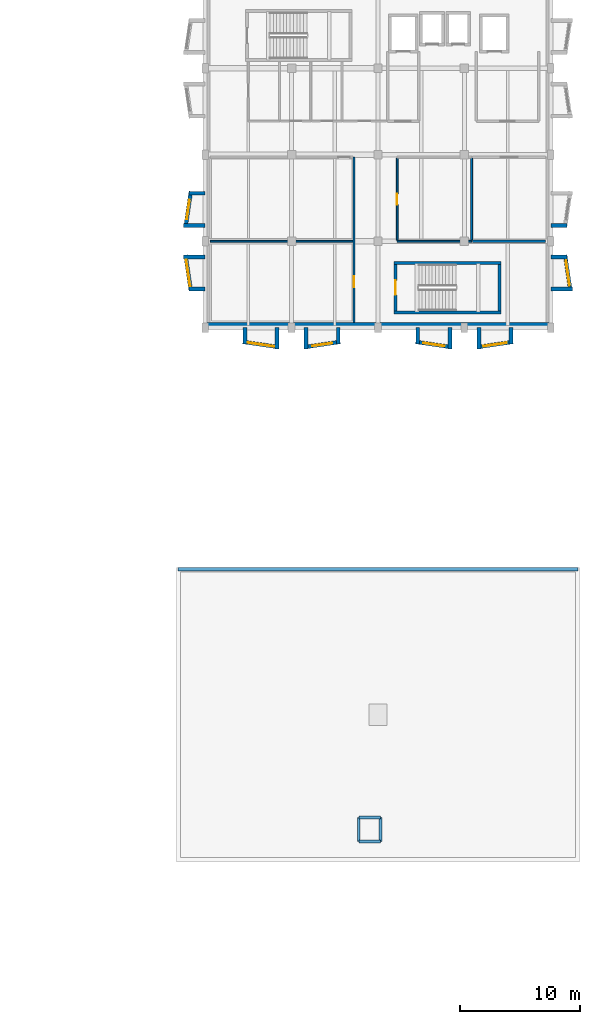
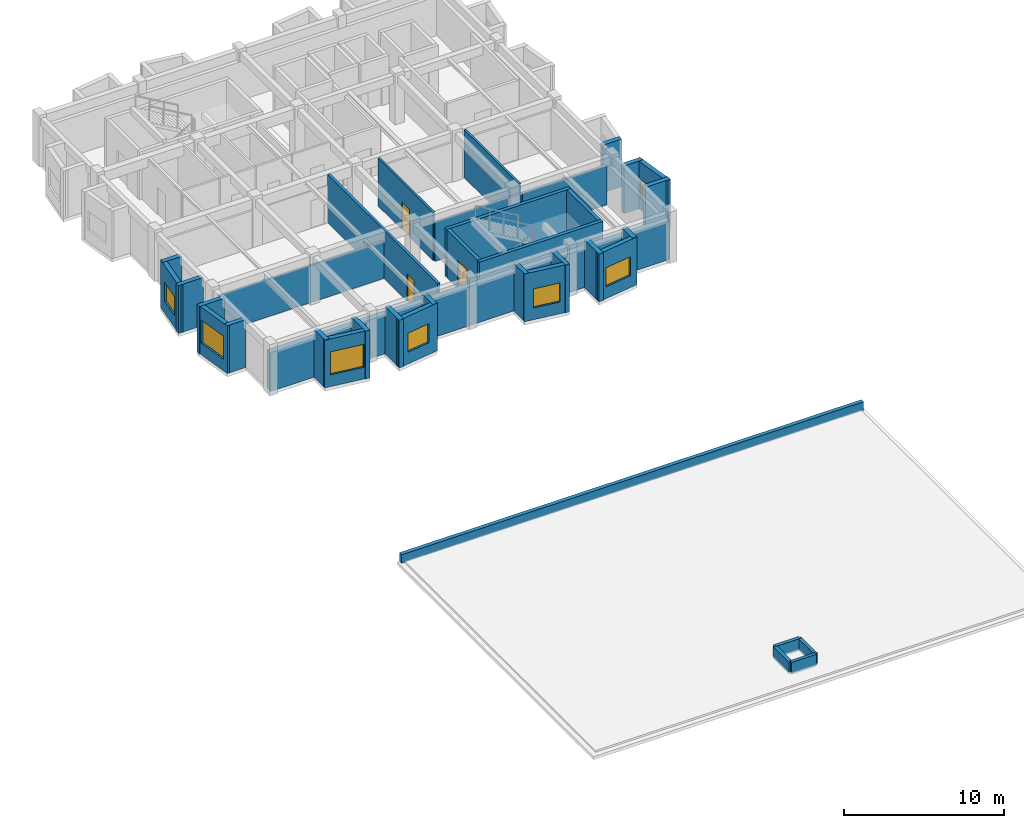
# One storey, part 13 of 20: 38 walls, 7 windows, 3 doors, 10 openings.
"""IFC4 building model written with IfcOpenShell, lengths in metres."""

from ifc_helpers import new_model, si_unit, direction, frame, frame_2d, origin, place, context, subcontext, project, spatial, rectangle, extrude, material, layer, layer_set, type_object, element, fill, save


model = new_model("IFC4")

# Units and contexts
model_context = context("Model", 3, precision=1e-05, world=origin(), true_north=direction((0.0, 1.0)))
body_context = subcontext(model_context, "Body", "Model", "MODEL_VIEW")
ifc_project = project(units=[si_unit("LENGTHUNIT", "METRE"), si_unit("AREAUNIT", "SQUARE_METRE"), si_unit("VOLUMEUNIT", "CUBIC_METRE"), si_unit("PLANEANGLEUNIT", "RADIAN"), si_unit("MASSUNIT", "GRAM", prefix="KILO")], contexts=[model_context])

# Site, building, storey
site_placement = place(None, origin())
site = spatial("IfcSite", under=ifc_project, at=site_placement, CompositionType="ELEMENT")
building_placement = place(site_placement, origin())
building = spatial("IfcBuilding", under=site, at=building_placement, Name="Bramveld Media Centre", CompositionType="ELEMENT")
storey_placement = place(building_placement, frame((0.0, 0.0, 18.0)))
storey = spatial("IfcBuildingStorey", under=building, at=storey_placement, Name="L04", CompositionType="ELEMENT", Elevation=18.0)

# Walls
ifc_material_1 = material(Name="Concrete C40/50 stair & lift core wall", Category="concrete")
ifc_layer_1 = layer(ifc_material_1, 0.25)
ifc_layer_set_1 = layer_set([ifc_layer_1], Name="Concrete C40/50 stair & lift core wall")
wall_type_1 = type_object("IfcWallType", Name="CWALL-SHEAR-250", PredefinedType="SHEAR", material=ifc_layer_set_1)
for number, where, z_axis, x_axis, name in (
    (1, (146.949951171875, 84.47509765625, 0.0), (0.0, 0.0, 1.0), (1.0, 0.0, 0.0), "ST-02 L04 stair core shear wall S"),
    (2, (155.85009765625, 88.574951171875, 0.0), (0.0, 0.0, 1.0), (-1.0, 0.0, 0.0), "ST-02 L04 stair core shear wall N"),
):
    element("IfcWall", number, at=place(storey_placement, frame(where, z_axis=z_axis, x_axis=x_axis)), inside=storey, type_object=wall_type_1, Name=name, PredefinedType="SHEAR", context=body_context, shape_type="SweptSolid", body=[
        extrude(rectangle(XDim=8.900146484375, YDim=0.25, at=frame_2d((4.4501953125, 0.0))), origin(), (0.0, 0.0, 1.0), 3.659912109375),
    ])

# Wall, opening, door
wall_1_placement = place(storey_placement, frame((147.074951171875, 88.449951171875, 0.0), z_axis=(0.0, 0.0, 1.0), x_axis=(0.0, -1.0, 0.0)))
wall_1 = element("IfcWall", 3, at=wall_1_placement, inside=storey, type_object=wall_type_1, Name="ST-02 L04 stair core shear wall W", PredefinedType="SHEAR", context=body_context, shape_type="SweptSolid", body=[
    extrude(rectangle(XDim=3.849853515625, YDim=0.25, at=frame_2d((1.9248046875, 0.0))), origin(), (0.0, 0.0, 1.0), 3.659912109375),
])
opening_1_placement = place(wall_1_placement, frame((1.324951171875, 0.0, 0.0)))
opening_1 = element("IfcOpeningElement", 4, at=opening_1_placement, cuts=wall_1, Name="Opening SD-02-L04", PredefinedType="OPENING", context=body_context, shape_type="SweptSolid", body=[
    extrude(rectangle(XDim=1.199951171875, YDim=2.14990234375, at=frame_2d((0.60009765625, 1.074951171875))), frame((0.0, 0.136962890625, 0.0), z_axis=(0.0, -1.0, 0.0), x_axis=(1.0, 0.0, 0.0)), (0.0, 0.0, 1.0), 0.27392578125),
])
ifc_material_2 = material(Name="Painted galvanized steel acoustic fire door with intumescent smoke seals", Category="steel")
door_type_1 = type_object("IfcDoorType", Name="DR-ST-1200", OperationType="NOTDEFINED", PredefinedType="DOOR", material=ifc_material_2)
door_1_placement = place(opening_1_placement, origin())
door_1 = element("IfcDoor", 5, at=door_1_placement, inside=storey, type_object=door_type_1, Name="ST-02 L04 pressurized stair fire door", OperationType="SINGLE_SWING_LEFT", OverallHeight=2.14990234375, OverallWidth=1.199951171875, PredefinedType="DOOR", context=body_context, shape_type="SweptSolid", body=[
    extrude(rectangle(XDim=1.199951171875, YDim=2.14990234375, at=frame_2d((0.60009765625, 1.074951171875))), frame((0.0, 0.02490234375, 0.0), z_axis=(0.0, -1.0, 0.0), x_axis=(1.0, 0.0, 0.0)), (0.0, 0.0, 1.0), 0.050048828125),
])
fill(opening_1, door_1)

# Walls
wall_2_placement = place(storey_placement, frame((155.72509765625, 84.60009765625, 0.0), z_axis=(0.0, 0.0, 1.0), x_axis=(0.0, 1.0, 0.0)))
element("IfcWall", 6, at=wall_2_placement, inside=storey, type_object=wall_type_1, Name="ST-02 L04 stair core shear wall E", PredefinedType="SHEAR", context=body_context, shape_type="SweptSolid", body=[
    extrude(rectangle(XDim=3.849853515625, YDim=0.25, at=frame_2d((1.9248046875, 0.0))), origin(), (0.0, 0.0, 1.0), 3.659912109375),
])
ifc_material_3 = material(Name="Flemish red-brown clay facing brick cavity wall with concrete C35/45 inner leaf", Category="masonry")
ifc_layer_2 = layer(ifc_material_3, 0.419921875)
ifc_layer_set_2 = layer_set([ifc_layer_2], Name="Flemish red-brown clay facing brick cavity wall with concrete C35/45 inner leaf")
wall_type_2 = type_object("IfcWallType", Name="EW-BRK-420", PredefinedType="SOLIDWALL", material=ifc_layer_set_2)
wall_3_placement = place(storey_placement, frame((160.0, 83.409912109375, 0.0), z_axis=(0.0, 0.0, 1.0), x_axis=(-1.0, 0.0, 0.0)))
element("IfcWall", 7, at=wall_3_placement, inside=storey, type_object=wall_type_2, Name="V7 L04 S facing brick exterior wall", PredefinedType="SOLIDWALL", context=body_context, shape_type="SweptSolid", body=[
    extrude(rectangle(XDim=28.800048828125, YDim=0.419921875, at=frame_2d((14.39990234375, 0.0))), origin(), (0.0, 0.0, 1.0), 2.955078125),
])

# Wall, opening, window
ifc_material_4 = material(Name="Precast concrete C40/50 & brick-slip faceted bay cheek wall", Category="masonry")
ifc_layer_3 = layer(ifc_material_4, 0.320068359375)
ifc_layer_set_3 = layer_set([ifc_layer_3], Name="Precast concrete C40/50 & brick-slip faceted bay cheek wall")
wall_type_3 = type_object("IfcWallType", Name="EW-FACET-320", PredefinedType="SOLIDWALL", material=ifc_layer_set_3)
wall_4_placement = place(storey_placement, frame((134.35009765625, 82.010009765625, 0.0), z_axis=(0.0, 0.0, 1.0), x_axis=(0.989266910268, -0.146119746268, 0.0)))
wall_4 = element("IfcWall", 8, at=wall_4_placement, inside=storey, type_object=wall_type_3, Name="V7 L04 S angled faceted bay front wall 1", PredefinedType="SOLIDWALL", context=body_context, shape_type="SweptSolid", body=[
    extrude(rectangle(XDim=3.032470703125, YDim=0.320068359375, at=frame_2d((1.51611328125, 0.0))), origin(), (0.0, 0.0, 1.0), 3.639892578125),
])
opening_2_placement = place(wall_4_placement, frame((0.391357421875, 0.0, 0.89990234375)))
opening_2 = element("IfcOpeningElement", 9, at=opening_2_placement, cuts=wall_4, Name="Opening W-36", PredefinedType="OPENING", context=body_context, shape_type="SweptSolid", body=[
    extrude(rectangle(XDim=2.25, YDim=1.75, at=frame_2d((1.125, 0.875))), frame((0.0, 0.171875, 0.0), z_axis=(0.0, -1.0, 0.0), x_axis=(1.0, 0.0, 0.0)), (0.0, 0.0, 1.0), 0.343994140625),
])
ifc_material_5 = material(Name="Thermally broken anodized bronze aluminium frame with triple acoustic glazing", Category="aluminium")
window_type_1 = type_object("IfcWindowType", Name="WIN-FAC-36", PartitioningType="SINGLE_PANEL", PredefinedType="WINDOW", material=ifc_material_5)
window_1_placement = place(opening_2_placement, origin())
window_1 = element("IfcWindow", 10, at=window_1_placement, inside=storey, type_object=window_type_1, Name="V7 L04 S faceted bay window 1", OverallHeight=1.75, OverallWidth=2.25, PartitioningType="SINGLE_PANEL", PredefinedType="WINDOW", context=body_context, shape_type="SweptSolid", body=[
    extrude(rectangle(XDim=2.25, YDim=1.75, at=frame_2d((1.125, 0.875))), frame((0.0, 0.030029296875, 0.0), z_axis=(0.0, -1.0, 0.0), x_axis=(1.0, 0.0, 0.0)), (0.0, 0.0, 1.0), 0.06005859375),
])
fill(opening_2, window_1)

# Walls
wall_5_placement = place(storey_placement, frame((134.510009765625, 83.199951171875, 0.0), z_axis=(0.0, 0.0, 1.0), x_axis=(0.0, -1.0, 0.0)))
element("IfcWall", 11, at=wall_5_placement, inside=storey, type_object=wall_type_3, Name="V7 L04 S faceted bay cheek wall", PredefinedType="SOLIDWALL", context=body_context, shape_type="SweptSolid", body=[
    extrude(rectangle(XDim=1.349853515625, YDim=0.320068359375, at=frame_2d((0.6748046875, 0.0))), origin(), (0.0, 0.0, 1.0), 3.639892578125),
])
wall_6_placement = place(storey_placement, frame((137.18994140625, 83.199951171875, 0.0), z_axis=(0.0, 0.0, 1.0), x_axis=(0.0, -1.0, 0.0)))
element("IfcWall", 12, at=wall_6_placement, inside=storey, type_object=wall_type_3, Name="V7 L04 S faceted bay cheek wall", PredefinedType="SOLIDWALL", context=body_context, shape_type="SweptSolid", body=[
    extrude(rectangle(XDim=1.79296875, YDim=0.320068359375, at=frame_2d((0.896484375, 0.0))), origin(), (0.0, 0.0, 1.0), 3.639892578125),
])

# Wall, opening, window
wall_7_placement = place(storey_placement, frame((139.449951171875, 81.56689453125, 0.0), z_axis=(0.0, 0.0, 1.0), x_axis=(0.989266910268, 0.146119746268, 0.0)))
wall_7 = element("IfcWall", 13, at=wall_7_placement, inside=storey, type_object=wall_type_3, Name="V7 L04 S angled faceted bay front wall 2", PredefinedType="SOLIDWALL", context=body_context, shape_type="SweptSolid", body=[
    extrude(rectangle(XDim=3.032470703125, YDim=0.320068359375, at=frame_2d((1.51611328125, 0.0))), origin(), (0.0, 0.0, 1.0), 3.639892578125),
])
opening_3_placement = place(wall_7_placement, frame((0.69140625, 0.0, 0.89990234375)))
opening_3 = element("IfcOpeningElement", 14, at=opening_3_placement, cuts=wall_7, Name="Opening W-25", PredefinedType="OPENING", context=body_context, shape_type="SweptSolid", body=[
    extrude(rectangle(XDim=1.64990234375, YDim=1.449951171875, at=frame_2d((0.824951171875, 0.72509765625))), frame((0.0, 0.171875, 0.0), z_axis=(0.0, -1.0, 0.0), x_axis=(1.0, 0.0, 0.0)), (0.0, 0.0, 1.0), 0.343994140625),
])
ifc_material_6 = material(Name="Thermally broken anodized bronze aluminium frame with triple acoustic glazing", Category="aluminium")
window_type_2 = type_object("IfcWindowType", Name="WIN-FAC-25", PartitioningType="SINGLE_PANEL", PredefinedType="WINDOW", material=ifc_material_6)
window_2_placement = place(opening_3_placement, origin())
window_2 = element("IfcWindow", 15, at=window_2_placement, inside=storey, type_object=window_type_2, Name="V7 L04 S faceted bay window 2", OverallHeight=1.449951171875, OverallWidth=1.64990234375, PartitioningType="SINGLE_PANEL", PredefinedType="WINDOW", context=body_context, shape_type="SweptSolid", body=[
    extrude(rectangle(XDim=1.64990234375, YDim=1.449951171875, at=frame_2d((0.824951171875, 0.72509765625))), frame((0.0, 0.030029296875, 0.0), z_axis=(0.0, -1.0, 0.0), x_axis=(1.0, 0.0, 0.0)), (0.0, 0.0, 1.0), 0.06005859375),
])
fill(opening_3, window_2)

# Walls
wall_8_placement = place(storey_placement, frame((139.610107421875, 83.199951171875, 0.0), z_axis=(0.0, 0.0, 1.0), x_axis=(0.0, -1.0, 0.0)))
element("IfcWall", 16, at=wall_8_placement, inside=storey, type_object=wall_type_3, Name="V7 L04 S faceted bay cheek wall", PredefinedType="SOLIDWALL", context=body_context, shape_type="SweptSolid", body=[
    extrude(rectangle(XDim=1.79296875, YDim=0.320068359375, at=frame_2d((0.896484375, 0.0))), origin(), (0.0, 0.0, 1.0), 3.639892578125),
])
wall_9_placement = place(storey_placement, frame((142.2900390625, 83.199951171875, 0.0), z_axis=(0.0, 0.0, 1.0), x_axis=(0.0, -1.0, 0.0)))
element("IfcWall", 17, at=wall_9_placement, inside=storey, type_object=wall_type_3, Name="V7 L04 S faceted bay cheek wall", PredefinedType="SOLIDWALL", context=body_context, shape_type="SweptSolid", body=[
    extrude(rectangle(XDim=1.349853515625, YDim=0.320068359375, at=frame_2d((0.6748046875, 0.0))), origin(), (0.0, 0.0, 1.0), 3.639892578125),
])

# Wall, opening, window
wall_10_placement = place(storey_placement, frame((148.75, 82.010009765625, 0.0), z_axis=(0.0, 0.0, 1.0), x_axis=(0.989266910268, -0.146119746268, 0.0)))
wall_10 = element("IfcWall", 18, at=wall_10_placement, inside=storey, type_object=wall_type_3, Name="V7 L04 S angled faceted bay front wall 3", PredefinedType="SOLIDWALL", context=body_context, shape_type="SweptSolid", body=[
    extrude(rectangle(XDim=3.032470703125, YDim=0.320068359375, at=frame_2d((1.51611328125, 0.0))), origin(), (0.0, 0.0, 1.0), 3.639892578125),
])
opening_4_placement = place(wall_10_placement, frame((0.6162109375, 0.0, 0.89990234375)))
opening_4 = element("IfcOpeningElement", 19, at=opening_4_placement, cuts=wall_10, Name="Opening W-26", PredefinedType="OPENING", context=body_context, shape_type="SweptSolid", body=[
    extrude(rectangle(XDim=1.800048828125, YDim=1.449951171875, at=frame_2d((0.89990234375, 0.72509765625))), frame((0.0, 0.171875, 0.0), z_axis=(0.0, -1.0, 0.0), x_axis=(1.0, 0.0, 0.0)), (0.0, 0.0, 1.0), 0.343994140625),
])
ifc_material_7 = material(Name="Thermally broken anodized bronze aluminium frame with triple acoustic glazing", Category="aluminium")
window_type_3 = type_object("IfcWindowType", Name="WIN-FAC-26", PartitioningType="SINGLE_PANEL", PredefinedType="WINDOW", material=ifc_material_7)
window_3_placement = place(opening_4_placement, origin())
window_3 = element("IfcWindow", 20, at=window_3_placement, inside=storey, type_object=window_type_3, Name="V7 L04 S faceted bay window 3", OverallHeight=1.449951171875, OverallWidth=1.800048828125, PartitioningType="SINGLE_PANEL", PredefinedType="WINDOW", context=body_context, shape_type="SweptSolid", body=[
    extrude(rectangle(XDim=1.800048828125, YDim=1.449951171875, at=frame_2d((0.89990234375, 0.72509765625))), frame((0.0, 0.030029296875, 0.0), z_axis=(0.0, -1.0, 0.0), x_axis=(1.0, 0.0, 0.0)), (0.0, 0.0, 1.0), 0.06005859375),
])
fill(opening_4, window_3)

# Walls
wall_11_placement = place(storey_placement, frame((148.909912109375, 83.199951171875, 0.0), z_axis=(0.0, 0.0, 1.0), x_axis=(0.0, -1.0, 0.0)))
element("IfcWall", 21, at=wall_11_placement, inside=storey, type_object=wall_type_3, Name="V7 L04 S faceted bay cheek wall", PredefinedType="SOLIDWALL", context=body_context, shape_type="SweptSolid", body=[
    extrude(rectangle(XDim=1.349853515625, YDim=0.320068359375, at=frame_2d((0.6748046875, 0.0))), origin(), (0.0, 0.0, 1.0), 3.639892578125),
])
wall_12_placement = place(storey_placement, frame((151.590087890625, 83.199951171875, 0.0), z_axis=(0.0, 0.0, 1.0), x_axis=(0.0, -1.0, 0.0)))
element("IfcWall", 22, at=wall_12_placement, inside=storey, type_object=wall_type_3, Name="V7 L04 S faceted bay cheek wall", PredefinedType="SOLIDWALL", context=body_context, shape_type="SweptSolid", body=[
    extrude(rectangle(XDim=1.79296875, YDim=0.320068359375, at=frame_2d((0.896484375, 0.0))), origin(), (0.0, 0.0, 1.0), 3.639892578125),
])

# Wall, opening, window
wall_13_placement = place(storey_placement, frame((153.85009765625, 81.56689453125, 0.0), z_axis=(0.0, 0.0, 1.0), x_axis=(0.989266910268, 0.146119746268, 0.0)))
wall_13 = element("IfcWall", 23, at=wall_13_placement, inside=storey, type_object=wall_type_3, Name="V7 L04 S angled faceted bay front wall 4", PredefinedType="SOLIDWALL", context=body_context, shape_type="SweptSolid", body=[
    extrude(rectangle(XDim=3.032470703125, YDim=0.320068359375, at=frame_2d((1.51611328125, 0.0))), origin(), (0.0, 0.0, 1.0), 3.639892578125),
])
opening_5_placement = place(wall_13_placement, frame((0.541259765625, 0.0, 0.89990234375)))
opening_5 = element("IfcOpeningElement", 24, at=opening_5_placement, cuts=wall_13, Name="Opening W-27", PredefinedType="OPENING", context=body_context, shape_type="SweptSolid", body=[
    extrude(rectangle(XDim=1.949951171875, YDim=1.449951171875, at=frame_2d((0.97509765625, 0.72509765625))), frame((0.0, 0.171875, 0.0), z_axis=(0.0, -1.0, 0.0), x_axis=(1.0, 0.0, 0.0)), (0.0, 0.0, 1.0), 0.343994140625),
])
ifc_material_8 = material(Name="Thermally broken anodized bronze aluminium frame with triple acoustic glazing", Category="aluminium")
window_type_4 = type_object("IfcWindowType", Name="WIN-FAC-27", PartitioningType="SINGLE_PANEL", PredefinedType="WINDOW", material=ifc_material_8)
window_4_placement = place(opening_5_placement, origin())
window_4 = element("IfcWindow", 25, at=window_4_placement, inside=storey, type_object=window_type_4, Name="V7 L04 S faceted bay window 4", OverallHeight=1.449951171875, OverallWidth=1.949951171875, PartitioningType="SINGLE_PANEL", PredefinedType="WINDOW", context=body_context, shape_type="SweptSolid", body=[
    extrude(rectangle(XDim=1.949951171875, YDim=1.449951171875, at=frame_2d((0.97509765625, 0.72509765625))), frame((0.0, 0.030029296875, 0.0), z_axis=(0.0, -1.0, 0.0), x_axis=(1.0, 0.0, 0.0)), (0.0, 0.0, 1.0), 0.06005859375),
])
fill(opening_5, window_4)

# Walls
wall_14_placement = place(storey_placement, frame((154.010009765625, 83.199951171875, 0.0), z_axis=(0.0, 0.0, 1.0), x_axis=(0.0, -1.0, 0.0)))
element("IfcWall", 26, at=wall_14_placement, inside=storey, type_object=wall_type_3, Name="V7 L04 S faceted bay cheek wall", PredefinedType="SOLIDWALL", context=body_context, shape_type="SweptSolid", body=[
    extrude(rectangle(XDim=1.79296875, YDim=0.320068359375, at=frame_2d((0.896484375, 0.0))), origin(), (0.0, 0.0, 1.0), 3.639892578125),
])
wall_15_placement = place(storey_placement, frame((156.68994140625, 83.199951171875, 0.0), z_axis=(0.0, 0.0, 1.0), x_axis=(0.0, -1.0, 0.0)))
element("IfcWall", 27, at=wall_15_placement, inside=storey, type_object=wall_type_3, Name="V7 L04 S faceted bay cheek wall", PredefinedType="SOLIDWALL", context=body_context, shape_type="SweptSolid", body=[
    extrude(rectangle(XDim=1.349853515625, YDim=0.320068359375, at=frame_2d((0.6748046875, 0.0))), origin(), (0.0, 0.0, 1.0), 3.639892578125),
])

# Wall, opening, window
wall_16_placement = place(storey_placement, frame((161.633056640625, 86.25, 0.0), z_axis=(0.0, 0.0, 1.0), x_axis=(-0.146119746268, 0.989266910268, 0.0)))
wall_16 = element("IfcWall", 28, at=wall_16_placement, inside=storey, type_object=wall_type_3, Name="V7 L04 E angled faceted bay front wall 1", PredefinedType="SOLIDWALL", context=body_context, shape_type="SweptSolid", body=[
    extrude(rectangle(XDim=3.032470703125, YDim=0.320068359375, at=frame_2d((1.51611328125, 0.0))), origin(), (0.0, 0.0, 1.0), 3.639892578125),
])
opening_6_placement = place(wall_16_placement, frame((0.46630859375, 0.0, 0.89990234375)))
opening_6 = element("IfcOpeningElement", 29, at=opening_6_placement, cuts=wall_16, Name="Opening W-28", PredefinedType="OPENING", context=body_context, shape_type="SweptSolid", body=[
    extrude(rectangle(XDim=2.10009765625, YDim=1.449951171875, at=frame_2d((1.050048828125, 0.72509765625))), frame((0.0, 0.171875, 0.0), z_axis=(0.0, -1.0, 0.0), x_axis=(1.0, 0.0, 0.0)), (0.0, 0.0, 1.0), 0.343994140625),
])
ifc_material_9 = material(Name="Thermally broken anodized bronze aluminium frame with triple acoustic glazing", Category="aluminium")
window_type_5 = type_object("IfcWindowType", Name="WIN-FAC-28", PartitioningType="SINGLE_PANEL", PredefinedType="WINDOW", material=ifc_material_9)
window_5_placement = place(opening_6_placement, origin())
window_5 = element("IfcWindow", 30, at=window_5_placement, inside=storey, type_object=window_type_5, Name="V7 L04 E faceted bay window 1", OverallHeight=1.449951171875, OverallWidth=2.10009765625, PartitioningType="SINGLE_PANEL", PredefinedType="WINDOW", context=body_context, shape_type="SweptSolid", body=[
    extrude(rectangle(XDim=2.10009765625, YDim=1.449951171875, at=frame_2d((1.050048828125, 0.72509765625))), frame((0.0, 0.030029296875, 0.0), z_axis=(0.0, -1.0, 0.0), x_axis=(1.0, 0.0, 0.0)), (0.0, 0.0, 1.0), 0.06005859375),
])
fill(opening_6, window_5)

# Walls
wall_17_placement = place(storey_placement, frame((160.0, 86.409912109375, 0.0), z_axis=(0.0, 0.0, 1.0), x_axis=(1.0, 0.0, 0.0)))
element("IfcWall", 31, at=wall_17_placement, inside=storey, type_object=wall_type_3, Name="V7 L04 E faceted bay cheek wall", PredefinedType="SOLIDWALL", context=body_context, shape_type="SweptSolid", body=[
    extrude(rectangle(XDim=1.79296875, YDim=0.320068359375, at=frame_2d((0.896484375, 0.0))), origin(), (0.0, 0.0, 1.0), 3.639892578125),
])
for number, where, z_axis, x_axis, name in (
    (32, (160.0, 89.090087890625, 0.0), (0.0, 0.0, 1.0), (1.0, 0.0, 0.0), "V7 L04 E faceted bay cheek wall"),
    (33, (160.0, 91.7099609375, 0.0), (0.0, 0.0, 1.0), (1.0, 0.0, 0.0), "V7 L04 E faceted bay cheek wall"),
):
    element("IfcWall", number, at=place(storey_placement, frame(where, z_axis=z_axis, x_axis=x_axis)), inside=storey, type_object=wall_type_3, Name=name, PredefinedType="SOLIDWALL", context=body_context, shape_type="SweptSolid", body=[
        extrude(rectangle(XDim=1.35009765625, YDim=0.320068359375, at=frame_2d((0.675048828125, 0.0))), origin(), (0.0, 0.0, 1.0), 3.639892578125),
    ])

# Wall, opening, window
wall_18_placement = place(storey_placement, frame((129.56689453125, 89.25, 0.0), z_axis=(0.0, 0.0, 1.0), x_axis=(0.146119746268, -0.989266910268, 0.0)))
wall_18 = element("IfcWall", 34, at=wall_18_placement, inside=storey, type_object=wall_type_3, Name="V7 L04 W angled faceted bay front wall 1", PredefinedType="SOLIDWALL", context=body_context, shape_type="SweptSolid", body=[
    extrude(rectangle(XDim=3.032470703125, YDim=0.320068359375, at=frame_2d((1.51611328125, 0.0))), origin(), (0.0, 0.0, 1.0), 3.639892578125),
])
opening_7_placement = place(wall_18_placement, frame((0.391357421875, 0.0, 0.89990234375)))
opening_7 = element("IfcOpeningElement", 35, at=opening_7_placement, cuts=wall_18, Name="Opening W-36", PredefinedType="OPENING", context=body_context, shape_type="SweptSolid", body=[
    extrude(rectangle(XDim=2.25, YDim=1.75, at=frame_2d((1.125, 0.875))), frame((0.0, 0.171875, 0.0), z_axis=(0.0, -1.0, 0.0), x_axis=(1.0, 0.0, 0.0)), (0.0, 0.0, 1.0), 0.343994140625),
])
window_6_placement = place(opening_7_placement, origin())
window_6 = element("IfcWindow", 36, at=window_6_placement, inside=storey, type_object=window_type_1, Name="V7 L04 W faceted bay window 1", OverallHeight=1.75, OverallWidth=2.25, PartitioningType="SINGLE_PANEL", PredefinedType="WINDOW", context=body_context, shape_type="SweptSolid", body=[
    extrude(rectangle(XDim=2.25, YDim=1.75, at=frame_2d((1.125, 0.875))), frame((0.0, 0.030029296875, 0.0), z_axis=(0.0, -1.0, 0.0), x_axis=(1.0, 0.0, 0.0)), (0.0, 0.0, 1.0), 0.06005859375),
])
fill(opening_7, window_6)

# Walls
wall_19_placement = place(storey_placement, frame((131.199951171875, 86.409912109375, 0.0), z_axis=(0.0, 0.0, 1.0), x_axis=(-1.0, 0.0, 0.0)))
element("IfcWall", 37, at=wall_19_placement, inside=storey, type_object=wall_type_3, Name="V7 L04 W faceted bay cheek wall", PredefinedType="SOLIDWALL", context=body_context, shape_type="SweptSolid", body=[
    extrude(rectangle(XDim=1.349853515625, YDim=0.320068359375, at=frame_2d((0.6748046875, 0.0))), origin(), (0.0, 0.0, 1.0), 3.639892578125),
])
wall_20_placement = place(storey_placement, frame((131.199951171875, 89.090087890625, 0.0), z_axis=(0.0, 0.0, 1.0), x_axis=(-1.0, 0.0, 0.0)))
element("IfcWall", 38, at=wall_20_placement, inside=storey, type_object=wall_type_3, Name="V7 L04 W faceted bay cheek wall", PredefinedType="SOLIDWALL", context=body_context, shape_type="SweptSolid", body=[
    extrude(rectangle(XDim=1.79296875, YDim=0.320068359375, at=frame_2d((0.896484375, 0.0))), origin(), (0.0, 0.0, 1.0), 3.639892578125),
])

# Wall, opening, window
wall_21_placement = place(storey_placement, frame((130.010009765625, 94.550048828125, 0.0), z_axis=(0.0, 0.0, 1.0), x_axis=(-0.146119746268, -0.989266910268, 0.0)))
wall_21 = element("IfcWall", 39, at=wall_21_placement, inside=storey, type_object=wall_type_3, Name="V7 L04 W angled faceted bay front wall 2", PredefinedType="SOLIDWALL", context=body_context, shape_type="SweptSolid", body=[
    extrude(rectangle(XDim=3.032470703125, YDim=0.320068359375, at=frame_2d((1.51611328125, 0.0))), origin(), (0.0, 0.0, 1.0), 3.639892578125),
])
opening_8_placement = place(wall_21_placement, frame((0.69140625, 0.0, 0.89990234375)))
opening_8 = element("IfcOpeningElement", 40, at=opening_8_placement, cuts=wall_21, Name="Opening W-25", PredefinedType="OPENING", context=body_context, shape_type="SweptSolid", body=[
    extrude(rectangle(XDim=1.64990234375, YDim=1.449951171875, at=frame_2d((0.824951171875, 0.72509765625))), frame((0.0, 0.171875, 0.0), z_axis=(0.0, -1.0, 0.0), x_axis=(1.0, 0.0, 0.0)), (0.0, 0.0, 1.0), 0.343994140625),
])
window_7_placement = place(opening_8_placement, origin())
window_7 = element("IfcWindow", 41, at=window_7_placement, inside=storey, type_object=window_type_2, Name="V7 L04 W faceted bay window 2", OverallHeight=1.449951171875, OverallWidth=1.64990234375, PartitioningType="SINGLE_PANEL", PredefinedType="WINDOW", context=body_context, shape_type="SweptSolid", body=[
    extrude(rectangle(XDim=1.64990234375, YDim=1.449951171875, at=frame_2d((0.824951171875, 0.72509765625))), frame((0.0, 0.030029296875, 0.0), z_axis=(0.0, -1.0, 0.0), x_axis=(1.0, 0.0, 0.0)), (0.0, 0.0, 1.0), 0.06005859375),
])
fill(opening_8, window_7)

# Walls
wall_22_placement = place(storey_placement, frame((131.199951171875, 91.7099609375, 0.0), z_axis=(0.0, 0.0, 1.0), x_axis=(-1.0, 0.0, 0.0)))
element("IfcWall", 42, at=wall_22_placement, inside=storey, type_object=wall_type_3, Name="V7 L04 W faceted bay cheek wall", PredefinedType="SOLIDWALL", context=body_context, shape_type="SweptSolid", body=[
    extrude(rectangle(XDim=1.79296875, YDim=0.320068359375, at=frame_2d((0.896484375, 0.0))), origin(), (0.0, 0.0, 1.0), 3.639892578125),
])
wall_23_placement = place(storey_placement, frame((131.199951171875, 94.389892578125, 0.0), z_axis=(0.0, 0.0, 1.0), x_axis=(-1.0, 0.0, 0.0)))
element("IfcWall", 43, at=wall_23_placement, inside=storey, type_object=wall_type_3, Name="V7 L04 W faceted bay cheek wall", PredefinedType="SOLIDWALL", context=body_context, shape_type="SweptSolid", body=[
    extrude(rectangle(XDim=1.349853515625, YDim=0.320068359375, at=frame_2d((0.6748046875, 0.0))), origin(), (0.0, 0.0, 1.0), 3.639892578125),
])
ifc_material_10 = material(Name="Acoustic calcium-silicate & mineral-wool compartment partition", Category="masonry")
ifc_layer_4 = layer(ifc_material_10, 0.199951171875)
ifc_layer_set_4 = layer_set([ifc_layer_4], Name="Acoustic calcium-silicate & mineral-wool compartment partition")
wall_type_4 = type_object("IfcWallType", Name="IW-ACOU-200", PredefinedType="PARTITIONING", material=ifc_layer_set_4)
wall_24_placement = place(storey_placement, frame((153.485107421875, 90.39990234375, 0.0), z_axis=(0.0, 0.0, 1.0), x_axis=(1.0, 0.0, 0.0)))
element("IfcWall", 44, at=wall_24_placement, inside=storey, type_object=wall_type_4, Name="Server & Media Cloud Cooling Room partition wall", PredefinedType="PARTITIONING", context=body_context, shape_type="SweptSolid", body=[
    extrude(rectangle(XDim=6.0849609375, YDim=0.199951171875, at=frame_2d((3.04248046875, 0.0))), origin(), (0.0, 0.0, 1.0), 2.985107421875),
])

# Wall, opening, door
ifc_material_11 = material(Name="Fire-rated twin-frame gypsum corridor wall", Category="gypsum")
ifc_layer_5 = layer(ifc_material_11, 0.179931640625)
ifc_layer_set_5 = layer_set([ifc_layer_5], Name="Fire-rated twin-frame gypsum corridor wall")
wall_type_5 = type_object("IfcWallType", Name="IW-FIRE-180", PredefinedType="PARTITIONING", material=ifc_layer_set_5)
wall_25_placement = place(storey_placement, frame((143.60009765625, 83.6298828125, 0.0), z_axis=(0.0, 0.0, 1.0), x_axis=(0.0, 1.0, 0.0)))
wall_25 = element("IfcWall", 45, at=wall_25_placement, inside=storey, type_object=wall_type_5, Name="Stair ST-02 L04 Landing & Link Corridor partition wall", PredefinedType="PARTITIONING", context=body_context, shape_type="SweptSolid", body=[
    extrude(rectangle(XDim=13.77001953125, YDim=0.179931640625, at=frame_2d((6.885009765625, 0.0))), origin(), (0.0, 0.0, 1.0), 3.659912109375),
])
opening_9_placement = place(wall_25_placement, frame((2.925048828125, 0.0, 0.0)))
opening_9 = element("IfcOpeningElement", 46, at=opening_9_placement, cuts=wall_25, Name="Opening D-04-188", PredefinedType="OPENING", context=body_context, shape_type="SweptSolid", body=[
    extrude(rectangle(XDim=0.919921875, YDim=2.080078125, at=frame_2d((0.4599609375, 1.0400390625))), frame((0.0, 0.10205078125, 0.0), z_axis=(0.0, -1.0, 0.0), x_axis=(1.0, 0.0, 0.0)), (0.0, 0.0, 1.0), 0.203857421875),
])
ifc_material_12 = material(Name="Solid-core European oak acoustic timber leaf in steel frame", Category="steel")
door_type_2 = type_object("IfcDoorType", Name="DR-RM-0920", OperationType="NOTDEFINED", PredefinedType="DOOR", material=ifc_material_12)
door_2_placement = place(opening_9_placement, origin())
door_2 = element("IfcDoor", 47, at=door_2_placement, inside=storey, type_object=door_type_2, Name="Media Law, Ethics & Standards Council entrance door", OperationType="SINGLE_SWING_RIGHT", OverallHeight=2.080078125, OverallWidth=0.919921875, PredefinedType="DOOR", context=body_context, shape_type="SweptSolid", body=[
    extrude(rectangle(XDim=0.919921875, YDim=2.080078125, at=frame_2d((0.4599609375, 1.0400390625))), frame((0.0, 0.02490234375, 0.0), z_axis=(0.0, -1.0, 0.0), x_axis=(1.0, 0.0, 0.0)), (0.0, 0.0, 1.0), 0.050048828125),
])
fill(opening_9, door_2)

# Walls
ifc_material_13 = material(Name="Insulated metal-stud gypsum room partition", Category="gypsum")
ifc_layer_6 = layer(ifc_material_13, 0.14990234375)
ifc_layer_set_6 = layer_set([ifc_layer_6], Name="Insulated metal-stud gypsum room partition")
wall_type_6 = type_object("IfcWallType", Name="IW-PART-150", PredefinedType="PARTITIONING", material=ifc_layer_set_6)
wall_26_placement = place(storey_placement, frame((131.6298828125, 90.39990234375, 0.0), z_axis=(0.0, 0.0, 1.0), x_axis=(1.0, 0.0, 0.0)))
element("IfcWall", 48, at=wall_26_placement, inside=storey, type_object=wall_type_6, Name="Sound-Design & Game Audio Studio partition wall", PredefinedType="PARTITIONING", context=body_context, shape_type="SweptSolid", body=[
    extrude(rectangle(XDim=11.8701171875, YDim=0.14990234375, at=frame_2d((5.93505859375, 0.0))), origin(), (0.0, 0.0, 1.0), 2.8349609375),
])
wall_27_placement = place(storey_placement, frame((147.199951171875, 90.39990234375, 0.0), z_axis=(0.0, 0.0, 1.0), x_axis=(1.0, 0.0, 0.0)))
element("IfcWall", 49, at=wall_27_placement, inside=storey, type_object=wall_type_6, Name="Immersive XR Production Stage partition wall", PredefinedType="PARTITIONING", context=body_context, shape_type="SweptSolid", body=[
    extrude(rectangle(XDim=6.199951171875, YDim=0.14990234375, at=frame_2d((3.10009765625, 0.0))), origin(), (0.0, 0.0, 1.0), 2.985107421875),
])

# Wall, opening, door
wall_28_placement = place(storey_placement, frame((147.199951171875, 90.485107421875, 0.0), z_axis=(0.0, 0.0, 1.0), x_axis=(0.0, 1.0, 0.0)))
wall_28 = element("IfcWall", 50, at=wall_28_placement, inside=storey, type_object=wall_type_6, Name="Immersive XR Production Stage partition wall", PredefinedType="PARTITIONING", context=body_context, shape_type="SweptSolid", body=[
    extrude(rectangle(XDim=6.829833984375, YDim=0.14990234375, at=frame_2d((3.4150390625, 0.0))), origin(), (0.0, 0.0, 1.0), 3.659912109375),
])
opening_10_placement = place(wall_28_placement, frame((2.945068359375, 0.0, 0.0)))
opening_10 = element("IfcOpeningElement", 51, at=opening_10_placement, cuts=wall_28, Name="Opening D-04-187", PredefinedType="OPENING", context=body_context, shape_type="SweptSolid", body=[
    extrude(rectangle(XDim=0.93994140625, YDim=2.10009765625, at=frame_2d((0.469970703125, 1.050048828125))), frame((0.0, 0.0869140625, 0.0), z_axis=(0.0, -1.0, 0.0), x_axis=(1.0, 0.0, 0.0)), (0.0, 0.0, 1.0), 0.173828125),
])
ifc_material_14 = material(Name="Solid-core European oak acoustic timber leaf in steel frame", Category="steel")
door_type_3 = type_object("IfcDoorType", Name="DR-RM-0940", OperationType="NOTDEFINED", PredefinedType="DOOR", material=ifc_material_14)
door_3_placement = place(opening_10_placement, origin())
door_3 = element("IfcDoor", 52, at=door_3_placement, inside=storey, type_object=door_type_3, Name="Immersive XR Production Stage entrance door", OperationType="SINGLE_SWING_LEFT", OverallHeight=2.10009765625, OverallWidth=0.93994140625, PredefinedType="DOOR", context=body_context, shape_type="SweptSolid", body=[
    extrude(rectangle(XDim=0.93994140625, YDim=2.10009765625, at=frame_2d((0.469970703125, 1.050048828125))), frame((0.0, 0.02490234375, 0.0), z_axis=(0.0, -1.0, 0.0), x_axis=(1.0, 0.0, 0.0)), (0.0, 0.0, 1.0), 0.050048828125),
])
fill(opening_10, door_3)

# Walls
wall_29_placement = place(storey_placement, frame((153.39990234375, 90.485107421875, 0.0), z_axis=(0.0, 0.0, 1.0), x_axis=(0.0, 1.0, 0.0)))
element("IfcWall", 53, at=wall_29_placement, inside=storey, type_object=wall_type_6, Name="Immersive XR Production Stage partition wall", PredefinedType="PARTITIONING", context=body_context, shape_type="SweptSolid", body=[
    extrude(rectangle(XDim=6.829833984375, YDim=0.14990234375, at=frame_2d((3.4150390625, 0.0))), origin(), (0.0, 0.0, 1.0), 3.659912109375),
])
ifc_material_15 = material(Name="Precast concrete C40/50 capped brick roof parapet", Category="masonry")
ifc_layer_7 = layer(ifc_material_15, 0.239990234375)
ifc_layer_set_7 = layer_set([ifc_layer_7], Name="Precast concrete C40/50 capped brick roof parapet")
wall_type_7 = type_object("IfcWallType", Name="PARAPET-240", PredefinedType="PARAPET", material=ifc_layer_set_7)
for number, where, z_axis, x_axis, name in (
    (54, (144.0, 40.39990234375, 0.0), (0.0, 0.0, 1.0), (1.0, 0.0, 0.0), "PL-06 lift shaft overrun housing curb S"),
    (55, (145.800048828125, 42.39990234375, 0.0), (0.0, 0.0, 1.0), (-1.0, 0.0, 0.0), "PL-06 lift shaft overrun housing curb N"),
):
    element("IfcWall", number, at=place(storey_placement, frame(where, z_axis=z_axis, x_axis=x_axis)), inside=storey, type_object=wall_type_7, Name=name, PredefinedType="PARAPET", context=body_context, shape_type="SweptSolid", body=[
        extrude(rectangle(XDim=1.800048828125, YDim=0.239990234375, at=frame_2d((0.89990234375, 0.0))), origin(), (0.0, 0.0, 1.0), 0.89990234375),
    ])
for number, where, z_axis, x_axis, name in (
    (56, (144.0, 42.39990234375, 0.0), (0.0, 0.0, 1.0), (0.0, -1.0, 0.0), "PL-06 lift shaft overrun housing curb W"),
    (57, (145.800048828125, 40.39990234375, 0.0), (0.0, 0.0, 1.0), (0.0, 1.0, 0.0), "PL-06 lift shaft overrun housing curb E"),
):
    element("IfcWall", number, at=place(storey_placement, frame(where, z_axis=z_axis, x_axis=x_axis)), inside=storey, type_object=wall_type_7, Name=name, PredefinedType="PARAPET", context=body_context, shape_type="SweptSolid", body=[
        extrude(rectangle(XDim=2.0, YDim=0.239990234375, at=frame_2d((1.0, 0.0))), origin(), (0.0, 0.0, 1.0), 0.89990234375),
    ])
ifc_material_16 = material(Name="Flemish brick-faced parapet upstand with Concrete C35/45 core", Category="masonry")
ifc_layer_8 = layer(ifc_material_16, 0.280029296875)
ifc_layer_set_8 = layer_set([ifc_layer_8], Name="Flemish brick-faced parapet upstand with Concrete C35/45 core")
wall_type_8 = type_object("IfcWallType", Name="PARAPET-280", PredefinedType="PARAPET", material=ifc_layer_set_8)
wall_30_placement = place(storey_placement, frame((128.949951171875, 63.06005859375, 0.0), z_axis=(0.0, 0.0, 1.0), x_axis=(1.0, 0.0, 0.0)))
element("IfcWall", 58, at=wall_30_placement, inside=storey, type_object=wall_type_8, Name="V4 L04 roof parapet upstand", PredefinedType="PARAPET", context=body_context, shape_type="SweptSolid", body=[
    extrude(rectangle(XDim=33.300048828125, YDim=0.280029296875, at=frame_2d((16.64990234375, 0.0))), origin(), (0.0, 0.0, 1.0), 0.64990234375),
])

save(model, "model.ifc")
